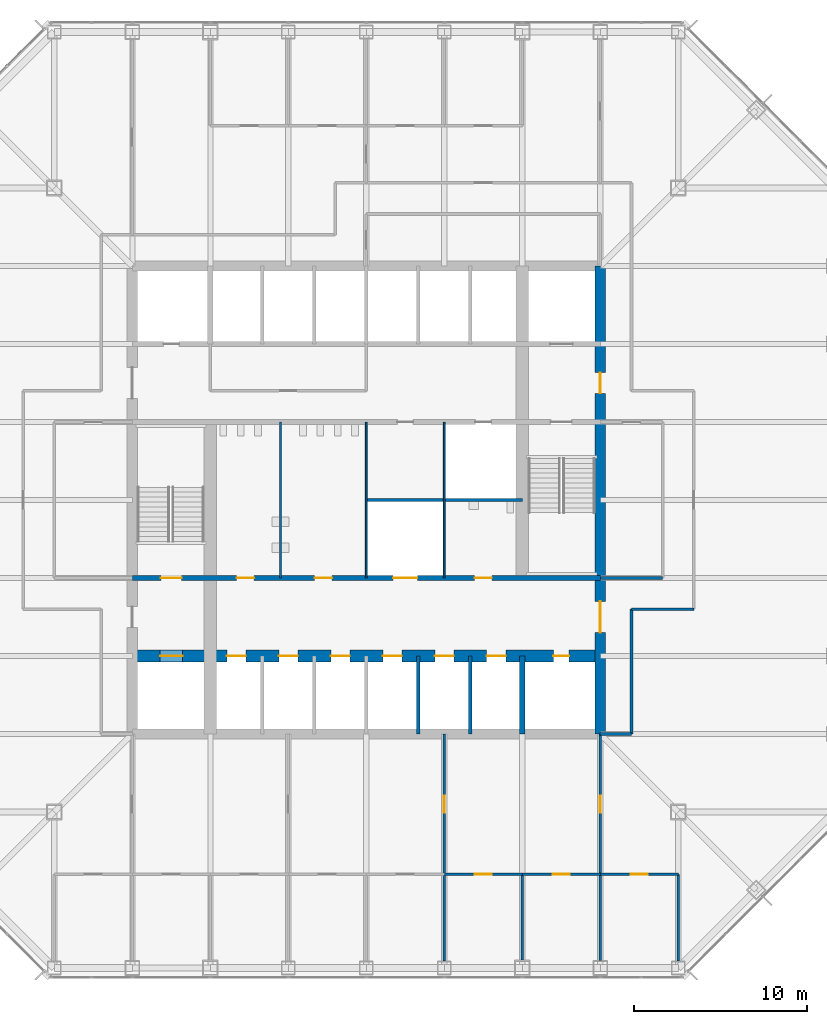
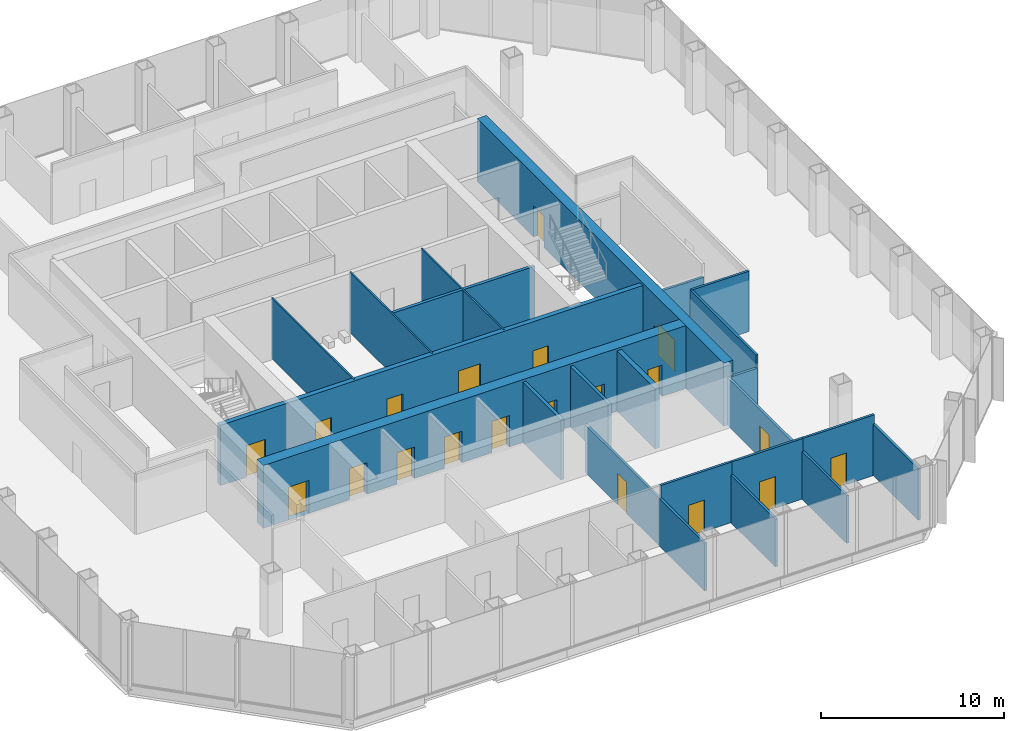
# One storey, part 9 of 13: 23 walls, 20 doors, 20 openings.
"""IFC4 building model written with IfcOpenShell, lengths in metres."""

from ifc_helpers import new_model, si_unit, direction, frame, frame_2d, origin, place, context, subcontext, project, spatial, rectangle, extrude, material, layer, layer_set, type_object, element, fill, save


model = new_model("IFC4")

# Units and contexts
model_context = context("Model", 3, precision=1e-05, world=origin(), true_north=direction((0.0, 1.0)))
body_context = subcontext(model_context, "Body", "Model", "MODEL_VIEW")
ifc_project = project(units=[si_unit("LENGTHUNIT", "METRE"), si_unit("AREAUNIT", "SQUARE_METRE"), si_unit("VOLUMEUNIT", "CUBIC_METRE"), si_unit("PLANEANGLEUNIT", "RADIAN"), si_unit("MASSUNIT", "GRAM", prefix="KILO")], contexts=[model_context])

# Site, building, storey
site_placement = place(None, origin())
site = spatial("IfcSite", under=ifc_project, at=site_placement, CompositionType="ELEMENT")
building_placement = place(site_placement, origin())
building = spatial("IfcBuilding", under=site, at=building_placement, Name="Corais Broadcast Tower", CompositionType="ELEMENT")
storey_placement = place(building_placement, frame((0.0, 0.0, 83.60009765625)))
storey = spatial("IfcBuildingStorey", under=building, at=storey_placement, Name="L18", CompositionType="ELEMENT", Elevation=83.60009765625)

# Wall
ifc_material_1 = material(Name="Concrete blockwork class A, grouted, two-hour", Category="masonry")
ifc_layer_1 = layer(ifc_material_1, 0.300048828125)
ifc_layer_set_1 = layer_set([ifc_layer_1], Name="Concrete blockwork class A, grouted, two-hour")
wall_type_1 = type_object("IfcWallType", Name="Core lobby wall 300", PredefinedType="SOLIDWALL", material=ifc_layer_set_1)
wall_1_placement = place(storey_placement, frame((36.0, 13.5, 0.0), z_axis=(0.0, 0.0, 1.0), x_axis=(0.0, 1.0, 0.0)))
element("IfcWall", 1, at=wall_1_placement, inside=storey, type_object=wall_type_1, Name="CL1 core shaft wall X36A L18", PredefinedType="SOLIDWALL", context=body_context, shape_type="SweptSolid", body=[
    extrude(rectangle(XDim=4.5, YDim=0.300048828125, at=frame_2d((2.25, 0.0))), origin(), (0.0, 0.0, 1.0), 4.039794921875),
])

# Wall, openings, doors
wall_2_placement = place(storey_placement, frame((13.5, 22.5, 0.0), z_axis=(0.0, 0.0, 1.0), x_axis=(1.0, 0.0, 0.0)))
wall_2 = element("IfcWall", 2, at=wall_2_placement, inside=storey, type_object=wall_type_1, Name="CL1 core lobby wall Y225 L18", PredefinedType="SOLIDWALL", context=body_context, shape_type="SweptSolid", body=[
    extrude(rectangle(XDim=27.0, YDim=0.300048828125, at=frame_2d((13.5, 0.0))), origin(), (0.0, 0.0, 1.0), 4.039794921875),
])
opening_1_placement = place(wall_2_placement, frame((1.64990234375, 0.0, 0.0)))
opening_1 = element("IfcOpeningElement", 3, at=opening_1_placement, cuts=wall_2, Name="Opening FD1", PredefinedType="OPENING", context=body_context, shape_type="SweptSolid", body=[
    extrude(rectangle(XDim=1.199951171875, YDim=2.10009765625, at=frame_2d((0.60009765625, 1.050048828125))), frame((0.0, 0.159912109375, 0.0), z_axis=(0.0, -1.0, 0.0), x_axis=(1.0, 0.0, 0.0)), (0.0, 0.0, 1.0), 0.320068359375),
])
opening_2_placement = place(wall_2_placement, frame((6.02490234375, 0.0, 0.0)))
opening_2 = element("IfcOpeningElement", 4, at=opening_2_placement, cuts=wall_2, Name="Opening WD1", PredefinedType="OPENING", context=body_context, shape_type="SweptSolid", body=[
    extrude(rectangle(XDim=1.0, YDim=2.10009765625, at=frame_2d((0.5, 1.050048828125))), frame((0.0, 0.159912109375, 0.0), z_axis=(0.0, -1.0, 0.0), x_axis=(1.0, 0.0, 0.0)), (0.0, 0.0, 1.0), 0.320068359375),
])
opening_3_placement = place(wall_2_placement, frame((10.52490234375, 0.0, 0.0)))
opening_3 = element("IfcOpeningElement", 5, at=opening_3_placement, cuts=wall_2, Name="Opening WD1", PredefinedType="OPENING", context=body_context, shape_type="SweptSolid", body=[
    extrude(rectangle(XDim=1.0, YDim=2.10009765625, at=frame_2d((0.5, 1.050048828125))), frame((0.0, 0.159912109375, 0.0), z_axis=(0.0, -1.0, 0.0), x_axis=(1.0, 0.0, 0.0)), (0.0, 0.0, 1.0), 0.320068359375),
])
opening_4_placement = place(wall_2_placement, frame((19.75, 0.0, 0.0)))
opening_4 = element("IfcOpeningElement", 6, at=opening_4_placement, cuts=wall_2, Name="Opening WD1", PredefinedType="OPENING", context=body_context, shape_type="SweptSolid", body=[
    extrude(rectangle(XDim=1.0, YDim=2.10009765625, at=frame_2d((0.5, 1.050048828125))), frame((0.0, 0.159912109375, 0.0), z_axis=(0.0, -1.0, 0.0), x_axis=(1.0, 0.0, 0.0)), (0.0, 0.0, 1.0), 0.320068359375),
])
opening_5_placement = place(wall_2_placement, frame((15.050048828125, 0.0, 0.0)))
opening_5 = element("IfcOpeningElement", 7, at=opening_5_placement, cuts=wall_2, Name="Opening LD3", PredefinedType="OPENING", context=body_context, shape_type="SweptSolid", body=[
    extrude(rectangle(XDim=1.39990234375, YDim=2.39990234375, at=frame_2d((0.699951171875, 1.199951171875))), frame((0.0, 0.159912109375, 0.0), z_axis=(0.0, -1.0, 0.0), x_axis=(1.0, 0.0, 0.0)), (0.0, 0.0, 1.0), 0.320068359375),
])
ifc_material_2 = material(Name="Steel fire door", Category="steel")
door_type_1 = type_object("IfcDoorType", Name="Fire door 1200x2100", OperationType="SINGLE_SWING_LEFT", PredefinedType="DOOR", material=ifc_material_2)
door_1_placement = place(opening_1_placement, origin())
door_1 = element("IfcDoor", 8, at=door_1_placement, inside=storey, type_object=door_type_1, Name="FD1 stair A door L18", OperationType="SINGLE_SWING_LEFT", OverallHeight=2.10009765625, OverallWidth=1.199951171875, PredefinedType="DOOR", context=body_context, shape_type="SweptSolid", body=[
    extrude(rectangle(XDim=1.199951171875, YDim=2.10009765625, at=frame_2d((0.60009765625, 1.050048828125))), frame((0.0, 0.02490234375, 0.0), z_axis=(0.0, -1.0, 0.0), x_axis=(1.0, 0.0, 0.0)), (0.0, 0.0, 1.0), 0.050048828125),
])
fill(opening_1, door_1)
ifc_material_3 = material(Name="Stainless steel lift door", Category="steel")
door_type_2 = type_object("IfcDoorType", Name="Service lift landing door 1400x2400", OperationType="SLIDING_TO_LEFT", PredefinedType="DOOR", material=ifc_material_3)
door_2_placement = place(opening_5_placement, origin())
door_2 = element("IfcDoor", 9, at=door_2_placement, inside=storey, type_object=door_type_2, Name="LD3 SL1 landing door L18", OperationType="SLIDING_TO_LEFT", OverallHeight=2.39990234375, OverallWidth=1.39990234375, PredefinedType="DOOR", context=body_context, shape_type="SweptSolid", body=[
    extrude(rectangle(XDim=1.39990234375, YDim=2.39990234375, at=frame_2d((0.699951171875, 1.199951171875))), frame((0.0, 0.02490234375, 0.0), z_axis=(0.0, -1.0, 0.0), x_axis=(1.0, 0.0, 0.0)), (0.0, 0.0, 1.0), 0.050048828125),
])
fill(opening_5, door_2)
ifc_material_4 = material(Name="Timber door", Category="wood")
door_type_3 = type_object("IfcDoorType", Name="Toilet door 1000x2100", OperationType="SINGLE_SWING_LEFT", PredefinedType="DOOR", material=ifc_material_4)
door_3_placement = place(opening_2_placement, origin())
door_3 = element("IfcDoor", 10, at=door_3_placement, inside=storey, type_object=door_type_3, Name="WD1 WC male door L18", OperationType="SINGLE_SWING_LEFT", OverallHeight=2.10009765625, OverallWidth=1.0, PredefinedType="DOOR", context=body_context, shape_type="SweptSolid", body=[
    extrude(rectangle(XDim=1.0, YDim=2.10009765625, at=frame_2d((0.5, 1.050048828125))), frame((0.0, 0.02490234375, 0.0), z_axis=(0.0, -1.0, 0.0), x_axis=(1.0, 0.0, 0.0)), (0.0, 0.0, 1.0), 0.050048828125),
])
fill(opening_2, door_3)
door_4_placement = place(opening_3_placement, origin())
door_4 = element("IfcDoor", 11, at=door_4_placement, inside=storey, type_object=door_type_3, Name="WD1 WC female door L18", OperationType="SINGLE_SWING_LEFT", OverallHeight=2.10009765625, OverallWidth=1.0, PredefinedType="DOOR", context=body_context, shape_type="SweptSolid", body=[
    extrude(rectangle(XDim=1.0, YDim=2.10009765625, at=frame_2d((0.5, 1.050048828125))), frame((0.0, 0.02490234375, 0.0), z_axis=(0.0, -1.0, 0.0), x_axis=(1.0, 0.0, 0.0)), (0.0, 0.0, 1.0), 0.050048828125),
])
fill(opening_3, door_4)
door_5_placement = place(opening_4_placement, origin())
door_5 = element("IfcDoor", 12, at=door_5_placement, inside=storey, type_object=door_type_3, Name="WD1 accessible WC door L18", OperationType="SINGLE_SWING_RIGHT", OverallHeight=2.10009765625, OverallWidth=1.0, PredefinedType="DOOR", context=body_context, shape_type="SweptSolid", body=[
    extrude(rectangle(XDim=1.0, YDim=2.10009765625, at=frame_2d((0.5, 1.050048828125))), frame((0.0, 0.02490234375, 0.0), z_axis=(0.0, -1.0, 0.0), x_axis=(1.0, 0.0, 0.0)), (0.0, 0.0, 1.0), 0.050048828125),
])
fill(opening_4, door_5)

ifc_material_5 = material(Name="Concrete C50/60", Category="concrete")
ifc_layer_2 = layer(ifc_material_5, 0.699951171875)
ifc_layer_set_2 = layer_set([ifc_layer_2], Name="Concrete C50/60")
wall_type_2 = type_object("IfcWallType", Name="Core spine wall 700", PredefinedType="SHEAR", material=ifc_layer_set_2)
wall_3_placement = place(storey_placement, frame((13.5, 18.0, 0.0), z_axis=(0.0, 0.0, 1.0), x_axis=(1.0, 0.0, 0.0)))
wall_3 = element("IfcWall", 13, at=wall_3_placement, inside=storey, type_object=wall_type_2, Name="CR700 core wall Y18 L18", PredefinedType="SHEAR", context=body_context, shape_type="SweptSolid", body=[
    extrude(rectangle(XDim=27.0, YDim=0.699951171875, at=frame_2d((13.5, 0.0))), origin(), (0.0, 0.0, 1.0), 4.199951171875),
])
opening_6_placement = place(wall_3_placement, frame((24.300048828125, 0.0, 0.0)))
opening_6 = element("IfcOpeningElement", 14, at=opening_6_placement, cuts=wall_3, Name="Opening RD1", PredefinedType="OPENING", context=body_context, shape_type="SweptSolid", body=[
    extrude(rectangle(XDim=0.89990234375, YDim=2.10009765625, at=frame_2d((0.449951171875, 1.050048828125))), frame((0.0, 0.35986328125, 0.0), z_axis=(0.0, -1.0, 0.0), x_axis=(1.0, 0.0, 0.0)), (0.0, 0.0, 1.0), 0.719970703125),
])
opening_7_placement = place(wall_3_placement, frame((5.449951171875, 0.0, 0.0)))
opening_7 = element("IfcOpeningElement", 15, at=opening_7_placement, cuts=wall_3, Name="Opening LD1", PredefinedType="OPENING", context=body_context, shape_type="SweptSolid", body=[
    extrude(rectangle(XDim=1.10009765625, YDim=2.10009765625, at=frame_2d((0.550048828125, 1.050048828125))), frame((0.0, 0.35986328125, 0.0), z_axis=(0.0, -1.0, 0.0), x_axis=(1.0, 0.0, 0.0)), (0.0, 0.0, 1.0), 0.719970703125),
])
opening_8_placement = place(wall_3_placement, frame((8.449951171875, 0.0, 0.0)))
opening_8 = element("IfcOpeningElement", 16, at=opening_8_placement, cuts=wall_3, Name="Opening LD1", PredefinedType="OPENING", context=body_context, shape_type="SweptSolid", body=[
    extrude(rectangle(XDim=1.10009765625, YDim=2.10009765625, at=frame_2d((0.550048828125, 1.050048828125))), frame((0.0, 0.35986328125, 0.0), z_axis=(0.0, -1.0, 0.0), x_axis=(1.0, 0.0, 0.0)), (0.0, 0.0, 1.0), 0.719970703125),
])
opening_9_placement = place(wall_3_placement, frame((11.449951171875, 0.0, 0.0)))
opening_9 = element("IfcOpeningElement", 17, at=opening_9_placement, cuts=wall_3, Name="Opening LD1", PredefinedType="OPENING", context=body_context, shape_type="SweptSolid", body=[
    extrude(rectangle(XDim=1.10009765625, YDim=2.10009765625, at=frame_2d((0.550048828125, 1.050048828125))), frame((0.0, 0.35986328125, 0.0), z_axis=(0.0, -1.0, 0.0), x_axis=(1.0, 0.0, 0.0)), (0.0, 0.0, 1.0), 0.719970703125),
])
opening_10_placement = place(wall_3_placement, frame((14.449951171875, 0.0, 0.0)))
opening_10 = element("IfcOpeningElement", 18, at=opening_10_placement, cuts=wall_3, Name="Opening LD1", PredefinedType="OPENING", context=body_context, shape_type="SweptSolid", body=[
    extrude(rectangle(XDim=1.10009765625, YDim=2.10009765625, at=frame_2d((0.550048828125, 1.050048828125))), frame((0.0, 0.35986328125, 0.0), z_axis=(0.0, -1.0, 0.0), x_axis=(1.0, 0.0, 0.0)), (0.0, 0.0, 1.0), 0.719970703125),
])
opening_11_placement = place(wall_3_placement, frame((17.449951171875, 0.0, 0.0)))
opening_11 = element("IfcOpeningElement", 19, at=opening_11_placement, cuts=wall_3, Name="Opening LD1", PredefinedType="OPENING", context=body_context, shape_type="SweptSolid", body=[
    extrude(rectangle(XDim=1.10009765625, YDim=2.10009765625, at=frame_2d((0.550048828125, 1.050048828125))), frame((0.0, 0.35986328125, 0.0), z_axis=(0.0, -1.0, 0.0), x_axis=(1.0, 0.0, 0.0)), (0.0, 0.0, 1.0), 0.719970703125),
])
opening_12_placement = place(wall_3_placement, frame((20.449951171875, 0.0, 0.0)))
opening_12 = element("IfcOpeningElement", 20, at=opening_12_placement, cuts=wall_3, Name="Opening LD1", PredefinedType="OPENING", context=body_context, shape_type="SweptSolid", body=[
    extrude(rectangle(XDim=1.10009765625, YDim=2.10009765625, at=frame_2d((0.550048828125, 1.050048828125))), frame((0.0, 0.35986328125, 0.0), z_axis=(0.0, -1.0, 0.0), x_axis=(1.0, 0.0, 0.0)), (0.0, 0.0, 1.0), 0.719970703125),
])
opening_13_placement = place(wall_3_placement, frame((1.60009765625, 0.0, 0.0)))
opening_13 = element("IfcOpeningElement", 21, at=opening_13_placement, cuts=wall_3, Name="Opening LD2", PredefinedType="OPENING", context=body_context, shape_type="SweptSolid", body=[
    extrude(rectangle(XDim=1.300048828125, YDim=2.199951171875, at=frame_2d((0.64990234375, 1.10009765625))), frame((0.0, 0.35986328125, 0.0), z_axis=(0.0, -1.0, 0.0), x_axis=(1.0, 0.0, 0.0)), (0.0, 0.0, 1.0), 0.719970703125),
])
ifc_material_6 = material(Name="Stainless steel lift door", Category="steel")
door_type_4 = type_object("IfcDoorType", Name="Lift landing door 1100x2100", OperationType="SLIDING_TO_LEFT", PredefinedType="DOOR", material=ifc_material_6)
door_6_placement = place(opening_7_placement, origin())
door_6 = element("IfcDoor", 22, at=door_6_placement, inside=storey, type_object=door_type_4, Name="LD1 PL1 landing door L18", OperationType="SLIDING_TO_LEFT", OverallHeight=2.10009765625, OverallWidth=1.10009765625, PredefinedType="DOOR", context=body_context, shape_type="SweptSolid", body=[
    extrude(rectangle(XDim=1.10009765625, YDim=2.10009765625, at=frame_2d((0.550048828125, 1.050048828125))), frame((0.0, 0.02490234375, 0.0), z_axis=(0.0, -1.0, 0.0), x_axis=(1.0, 0.0, 0.0)), (0.0, 0.0, 1.0), 0.050048828125),
])
fill(opening_7, door_6)
door_7_placement = place(opening_8_placement, origin())
door_7 = element("IfcDoor", 23, at=door_7_placement, inside=storey, type_object=door_type_4, Name="LD1 PL2 landing door L18", OperationType="SLIDING_TO_LEFT", OverallHeight=2.10009765625, OverallWidth=1.10009765625, PredefinedType="DOOR", context=body_context, shape_type="SweptSolid", body=[
    extrude(rectangle(XDim=1.10009765625, YDim=2.10009765625, at=frame_2d((0.550048828125, 1.050048828125))), frame((0.0, 0.02490234375, 0.0), z_axis=(0.0, -1.0, 0.0), x_axis=(1.0, 0.0, 0.0)), (0.0, 0.0, 1.0), 0.050048828125),
])
fill(opening_8, door_7)
door_8_placement = place(opening_9_placement, origin())
door_8 = element("IfcDoor", 24, at=door_8_placement, inside=storey, type_object=door_type_4, Name="LD1 PL3 landing door L18", OperationType="SLIDING_TO_LEFT", OverallHeight=2.10009765625, OverallWidth=1.10009765625, PredefinedType="DOOR", context=body_context, shape_type="SweptSolid", body=[
    extrude(rectangle(XDim=1.10009765625, YDim=2.10009765625, at=frame_2d((0.550048828125, 1.050048828125))), frame((0.0, 0.02490234375, 0.0), z_axis=(0.0, -1.0, 0.0), x_axis=(1.0, 0.0, 0.0)), (0.0, 0.0, 1.0), 0.050048828125),
])
fill(opening_9, door_8)
door_9_placement = place(opening_10_placement, origin())
door_9 = element("IfcDoor", 25, at=door_9_placement, inside=storey, type_object=door_type_4, Name="LD1 PL4 landing door L18", OperationType="SLIDING_TO_LEFT", OverallHeight=2.10009765625, OverallWidth=1.10009765625, PredefinedType="DOOR", context=body_context, shape_type="SweptSolid", body=[
    extrude(rectangle(XDim=1.10009765625, YDim=2.10009765625, at=frame_2d((0.550048828125, 1.050048828125))), frame((0.0, 0.02490234375, 0.0), z_axis=(0.0, -1.0, 0.0), x_axis=(1.0, 0.0, 0.0)), (0.0, 0.0, 1.0), 0.050048828125),
])
fill(opening_10, door_9)
door_10_placement = place(opening_11_placement, origin())
door_10 = element("IfcDoor", 26, at=door_10_placement, inside=storey, type_object=door_type_4, Name="LD1 PL5 landing door L18", OperationType="SLIDING_TO_LEFT", OverallHeight=2.10009765625, OverallWidth=1.10009765625, PredefinedType="DOOR", context=body_context, shape_type="SweptSolid", body=[
    extrude(rectangle(XDim=1.10009765625, YDim=2.10009765625, at=frame_2d((0.550048828125, 1.050048828125))), frame((0.0, 0.02490234375, 0.0), z_axis=(0.0, -1.0, 0.0), x_axis=(1.0, 0.0, 0.0)), (0.0, 0.0, 1.0), 0.050048828125),
])
fill(opening_11, door_10)
door_11_placement = place(opening_12_placement, origin())
door_11 = element("IfcDoor", 27, at=door_11_placement, inside=storey, type_object=door_type_4, Name="LD1 PL6 landing door L18", OperationType="SLIDING_TO_LEFT", OverallHeight=2.10009765625, OverallWidth=1.10009765625, PredefinedType="DOOR", context=body_context, shape_type="SweptSolid", body=[
    extrude(rectangle(XDim=1.10009765625, YDim=2.10009765625, at=frame_2d((0.550048828125, 1.050048828125))), frame((0.0, 0.02490234375, 0.0), z_axis=(0.0, -1.0, 0.0), x_axis=(1.0, 0.0, 0.0)), (0.0, 0.0, 1.0), 0.050048828125),
])
fill(opening_12, door_11)
ifc_material_7 = material(Name="Stainless steel lift door", Category="steel")
door_type_5 = type_object("IfcDoorType", Name="Lift landing door 1300x2200", OperationType="SLIDING_TO_LEFT", PredefinedType="DOOR", material=ifc_material_7)
door_12_placement = place(opening_13_placement, origin())
door_12 = element("IfcDoor", 28, at=door_12_placement, inside=storey, type_object=door_type_5, Name="LD2 FL1 landing door L18", OperationType="SLIDING_TO_LEFT", OverallHeight=2.199951171875, OverallWidth=1.300048828125, PredefinedType="DOOR", context=body_context, shape_type="SweptSolid", body=[
    extrude(rectangle(XDim=1.300048828125, YDim=2.199951171875, at=frame_2d((0.64990234375, 1.10009765625))), frame((0.0, 0.02490234375, 0.0), z_axis=(0.0, -1.0, 0.0), x_axis=(1.0, 0.0, 0.0)), (0.0, 0.0, 1.0), 0.050048828125),
])
fill(opening_13, door_12)
ifc_material_8 = material(Name="Steel fire door", Category="steel")
door_type_6 = type_object("IfcDoorType", Name="Riser door 900x2100", OperationType="SINGLE_SWING_LEFT", PredefinedType="DOOR", material=ifc_material_8)
door_13_placement = place(opening_6_placement, origin())
door_13 = element("IfcDoor", 29, at=door_13_placement, inside=storey, type_object=door_type_6, Name="RD1 riser door L18", OperationType="SINGLE_SWING_RIGHT", OverallHeight=2.10009765625, OverallWidth=0.89990234375, PredefinedType="DOOR", context=body_context, shape_type="SweptSolid", body=[
    extrude(rectangle(XDim=0.89990234375, YDim=2.10009765625, at=frame_2d((0.449951171875, 1.050048828125))), frame((0.0, 0.02490234375, 0.0), z_axis=(0.0, -1.0, 0.0), x_axis=(1.0, 0.0, 0.0)), (0.0, 0.0, 1.0), 0.050048828125),
])
fill(opening_6, door_13)

ifc_material_9 = material(Name="Concrete C50/60", Category="concrete")
ifc_layer_3 = layer(ifc_material_9, 0.60009765625)
ifc_layer_set_3 = layer_set([ifc_layer_3], Name="Concrete C50/60")
wall_type_3 = type_object("IfcWallType", Name="Core wall 600", PredefinedType="SHEAR", material=ifc_layer_set_3)
wall_4_placement = place(storey_placement, frame((40.5, 13.5, 0.0), z_axis=(0.0, 0.0, 1.0), x_axis=(0.0, 1.0, 0.0)))
wall_4 = element("IfcWall", 30, at=wall_4_placement, inside=storey, type_object=wall_type_3, Name="CR600 core wall E L18", PredefinedType="SHEAR", context=body_context, shape_type="SweptSolid", body=[
    extrude(rectangle(XDim=27.0, YDim=0.60009765625, at=frame_2d((13.5, 0.0))), origin(), (0.0, 0.0, 1.0), 4.199951171875),
])
opening_14_placement = place(wall_4_placement, frame((5.85009765625, 0.0, 0.0)))
opening_14 = element("IfcOpeningElement", 31, at=opening_14_placement, cuts=wall_4, Name="Opening FD2", PredefinedType="OPENING", context=body_context, shape_type="SweptSolid", body=[
    extrude(rectangle(XDim=1.800048828125, YDim=2.10009765625, at=frame_2d((0.89990234375, 1.050048828125))), frame((0.0, 0.31005859375, 0.0), z_axis=(0.0, -1.0, 0.0), x_axis=(1.0, 0.0, 0.0)), (0.0, 0.0, 1.0), 0.6201171875),
])
opening_15_placement = place(wall_4_placement, frame((19.64990234375, 0.0, 0.0)))
opening_15 = element("IfcOpeningElement", 32, at=opening_15_placement, cuts=wall_4, Name="Opening FD1", PredefinedType="OPENING", context=body_context, shape_type="SweptSolid", body=[
    extrude(rectangle(XDim=1.199951171875, YDim=2.10009765625, at=frame_2d((0.60009765625, 1.050048828125))), frame((0.0, 0.31005859375, 0.0), z_axis=(0.0, -1.0, 0.0), x_axis=(1.0, 0.0, 0.0)), (0.0, 0.0, 1.0), 0.6201171875),
])
door_14_placement = place(opening_15_placement, origin())
door_14 = element("IfcDoor", 33, at=door_14_placement, inside=storey, type_object=door_type_1, Name="FD1 fire lobby B door L18", OperationType="SINGLE_SWING_RIGHT", OverallHeight=2.10009765625, OverallWidth=1.199951171875, PredefinedType="DOOR", context=body_context, shape_type="SweptSolid", body=[
    extrude(rectangle(XDim=1.199951171875, YDim=2.10009765625, at=frame_2d((0.60009765625, 1.050048828125))), frame((0.0, 0.02490234375, 0.0), z_axis=(0.0, -1.0, 0.0), x_axis=(1.0, 0.0, 0.0)), (0.0, 0.0, 1.0), 0.050048828125),
])
fill(opening_15, door_14)
ifc_material_10 = material(Name="Steel fire door", Category="steel")
door_type_7 = type_object("IfcDoorType", Name="Fire door pair 1800x2100", OperationType="DOUBLE_DOOR_SINGLE_SWING", PredefinedType="DOOR", material=ifc_material_10)
door_15_placement = place(opening_14_placement, origin())
door_15 = element("IfcDoor", 34, at=door_15_placement, inside=storey, type_object=door_type_7, Name="FD2 lift lobby door L18", OperationType="SINGLE_SWING_LEFT", OverallHeight=2.10009765625, OverallWidth=1.800048828125, PredefinedType="DOOR", context=body_context, shape_type="SweptSolid", body=[
    extrude(rectangle(XDim=1.800048828125, YDim=2.10009765625, at=frame_2d((0.89990234375, 1.050048828125))), frame((0.0, 0.02490234375, 0.0), z_axis=(0.0, -1.0, 0.0), x_axis=(1.0, 0.0, 0.0)), (0.0, 0.0, 1.0), 0.050048828125),
])
fill(opening_14, door_15)

# Walls
ifc_material_11 = material(Name="Gypsum board on steel studs", Category="steel")
ifc_layer_4 = layer(ifc_material_11, 0.14990234375)
ifc_layer_set_4 = layer_set([ifc_layer_4], Name="Gypsum board on steel studs")
wall_type_4 = type_object("IfcWallType", Name="Partition 150", PredefinedType="PARTITIONING", material=ifc_layer_set_4)
wall_5_placement = place(storey_placement, frame((42.300048828125, 13.5, 0.0), z_axis=(0.0, 0.0, 1.0), x_axis=(0.0, 1.0, 0.0)))
element("IfcWall", 35, at=wall_5_placement, inside=storey, type_object=wall_type_4, Name="IW3 corridor wall L18", PredefinedType="PARTITIONING", context=body_context, shape_type="SweptSolid", body=[
    extrude(rectangle(XDim=7.199951171875, YDim=0.14990234375, at=frame_2d((3.60009765625, 0.0))), origin(), (0.0, 0.0, 1.0), 4.039794921875),
])
wall_6_placement = place(storey_placement, frame((42.300048828125, 20.699951171875, 0.0), z_axis=(0.0, 0.0, 1.0), x_axis=(1.0, 0.0, 0.0)))
element("IfcWall", 36, at=wall_6_placement, inside=storey, type_object=wall_type_4, Name="IW3 corridor wall L18", PredefinedType="PARTITIONING", context=body_context, shape_type="SweptSolid", body=[
    extrude(rectangle(XDim=3.599853515625, YDim=0.14990234375, at=frame_2d((1.7998046875, 0.0))), origin(), (0.0, 0.0, 1.0), 4.039794921875),
])
wall_7_placement = place(storey_placement, frame((40.489990234375, 13.5, 0.0), z_axis=(0.0, 0.0, 1.0), x_axis=(1.0, 0.0, 0.0)))
element("IfcWall", 37, at=wall_7_placement, inside=storey, type_object=wall_type_4, Name="IW3 corridor wall L18", PredefinedType="PARTITIONING", context=body_context, shape_type="SweptSolid", body=[
    extrude(rectangle(XDim=1.81005859375, YDim=0.14990234375, at=frame_2d((0.905029296875, 0.0))), origin(), (0.0, 0.0, 1.0), 3.18896484375),
])
wall_8_placement = place(storey_placement, frame((31.5, 0.409912109375, 0.0), z_axis=(0.0, 0.0, 1.0), x_axis=(0.0, 1.0, 0.0)))
element("IfcWall", 38, at=wall_8_placement, inside=storey, type_object=wall_type_4, Name="IW3 partition L18", PredefinedType="PARTITIONING", context=body_context, shape_type="SweptSolid", body=[
    extrude(rectangle(XDim=4.989990234375, YDim=0.14990234375, at=frame_2d((2.4951171875, 0.0))), origin(), (0.0, 0.0, 1.0), 3.18896484375),
])
wall_9_placement = place(storey_placement, frame((36.0, 0.4599609375, 0.0), z_axis=(0.0, 0.0, 1.0), x_axis=(0.0, 1.0, 0.0)))
element("IfcWall", 39, at=wall_9_placement, inside=storey, type_object=wall_type_4, Name="IW3 partition L18", PredefinedType="PARTITIONING", context=body_context, shape_type="SweptSolid", body=[
    extrude(rectangle(XDim=4.93994140625, YDim=0.14990234375, at=frame_2d((2.469970703125, 0.0))), origin(), (0.0, 0.0, 1.0), 3.18896484375),
])

# Wall, opening, door
wall_10_placement = place(storey_placement, frame((36.0, 5.39990234375, 0.0), z_axis=(0.0, 0.0, 1.0), x_axis=(-1.0, 0.0, 0.0)))
wall_10 = element("IfcWall", 40, at=wall_10_placement, inside=storey, type_object=wall_type_4, Name="IW3 partition L18", PredefinedType="PARTITIONING", context=body_context, shape_type="SweptSolid", body=[
    extrude(rectangle(XDim=4.5, YDim=0.14990234375, at=frame_2d((2.25, 0.0))), origin(), (0.0, 0.0, 1.0), 4.039794921875),
])
opening_16_placement = place(wall_10_placement, frame((1.75, 0.0, 0.0)))
opening_16 = element("IfcOpeningElement", 41, at=opening_16_placement, cuts=wall_10, Name="Opening D1", PredefinedType="OPENING", context=body_context, shape_type="SweptSolid", body=[
    extrude(rectangle(XDim=1.0, YDim=2.10009765625, at=frame_2d((0.5, 1.050048828125))), frame((0.0, 0.0849609375, 0.0), z_axis=(0.0, -1.0, 0.0), x_axis=(1.0, 0.0, 0.0)), (0.0, 0.0, 1.0), 0.169921875),
])
ifc_material_12 = material(Name="Timber door", Category="wood")
door_type_8 = type_object("IfcDoorType", Name="Single door 1000x2100", OperationType="SINGLE_SWING_LEFT", PredefinedType="DOOR", material=ifc_material_12)
door_16_placement = place(opening_16_placement, origin())
door_16 = element("IfcDoor", 42, at=door_16_placement, inside=storey, type_object=door_type_8, Name="D1 Office door", OperationType="SINGLE_SWING_LEFT", OverallHeight=2.10009765625, OverallWidth=1.0, PredefinedType="DOOR", context=body_context, shape_type="SweptSolid", body=[
    extrude(rectangle(XDim=1.0, YDim=2.10009765625, at=frame_2d((0.5, 1.050048828125))), frame((0.0, 0.02490234375, 0.0), z_axis=(0.0, -1.0, 0.0), x_axis=(1.0, 0.0, 0.0)), (0.0, 0.0, 1.0), 0.050048828125),
])
fill(opening_16, door_16)

# Wall
wall_11_placement = place(storey_placement, frame((40.5, 0.43505859375, 0.0), z_axis=(0.0, 0.0, 1.0), x_axis=(0.0, 1.0, 0.0)))
element("IfcWall", 43, at=wall_11_placement, inside=storey, type_object=wall_type_4, Name="IW3 partition L18", PredefinedType="PARTITIONING", context=body_context, shape_type="SweptSolid", body=[
    extrude(rectangle(XDim=4.96484375, YDim=0.14990234375, at=frame_2d((2.482421875, 0.0))), origin(), (0.0, 0.0, 1.0), 3.18896484375),
])

# Wall, opening, door
wall_12_placement = place(storey_placement, frame((40.5, 5.39990234375, 0.0), z_axis=(0.0, 0.0, 1.0), x_axis=(-1.0, 0.0, 0.0)))
wall_12 = element("IfcWall", 44, at=wall_12_placement, inside=storey, type_object=wall_type_4, Name="IW3 partition L18", PredefinedType="PARTITIONING", context=body_context, shape_type="SweptSolid", body=[
    extrude(rectangle(XDim=4.5, YDim=0.14990234375, at=frame_2d((2.25, 0.0))), origin(), (0.0, 0.0, 1.0), 4.039794921875),
])
opening_17_placement = place(wall_12_placement, frame((1.75, 0.0, 0.0)))
opening_17 = element("IfcOpeningElement", 45, at=opening_17_placement, cuts=wall_12, Name="Opening D1", PredefinedType="OPENING", context=body_context, shape_type="SweptSolid", body=[
    extrude(rectangle(XDim=1.0, YDim=2.10009765625, at=frame_2d((0.5, 1.050048828125))), frame((0.0, 0.0849609375, 0.0), z_axis=(0.0, -1.0, 0.0), x_axis=(1.0, 0.0, 0.0)), (0.0, 0.0, 1.0), 0.169921875),
])
door_17_placement = place(opening_17_placement, origin())
door_17 = element("IfcDoor", 46, at=door_17_placement, inside=storey, type_object=door_type_8, Name="D1 Office door", OperationType="SINGLE_SWING_LEFT", OverallHeight=2.10009765625, OverallWidth=1.0, PredefinedType="DOOR", context=body_context, shape_type="SweptSolid", body=[
    extrude(rectangle(XDim=1.0, YDim=2.10009765625, at=frame_2d((0.5, 1.050048828125))), frame((0.0, 0.02490234375, 0.0), z_axis=(0.0, -1.0, 0.0), x_axis=(1.0, 0.0, 0.0)), (0.0, 0.0, 1.0), 0.050048828125),
])
fill(opening_17, door_17)

# Wall
wall_13_placement = place(storey_placement, frame((45.0, 0.409912109375, 0.0), z_axis=(0.0, 0.0, 1.0), x_axis=(0.0, 1.0, 0.0)))
element("IfcWall", 47, at=wall_13_placement, inside=storey, type_object=wall_type_4, Name="IW3 partition L18", PredefinedType="PARTITIONING", context=body_context, shape_type="SweptSolid", body=[
    extrude(rectangle(XDim=4.989990234375, YDim=0.14990234375, at=frame_2d((2.4951171875, 0.0))), origin(), (0.0, 0.0, 1.0), 3.428955078125),
])

# Wall, opening, door
wall_14_placement = place(storey_placement, frame((45.0, 5.39990234375, 0.0), z_axis=(0.0, 0.0, 1.0), x_axis=(-1.0, 0.0, 0.0)))
wall_14 = element("IfcWall", 48, at=wall_14_placement, inside=storey, type_object=wall_type_4, Name="IW3 partition L18", PredefinedType="PARTITIONING", context=body_context, shape_type="SweptSolid", body=[
    extrude(rectangle(XDim=4.5, YDim=0.14990234375, at=frame_2d((2.25, 0.0))), origin(), (0.0, 0.0, 1.0), 4.039794921875),
])
opening_18_placement = place(wall_14_placement, frame((1.75, 0.0, 0.0)))
opening_18 = element("IfcOpeningElement", 49, at=opening_18_placement, cuts=wall_14, Name="Opening D1", PredefinedType="OPENING", context=body_context, shape_type="SweptSolid", body=[
    extrude(rectangle(XDim=1.0, YDim=2.10009765625, at=frame_2d((0.5, 1.050048828125))), frame((0.0, 0.0849609375, 0.0), z_axis=(0.0, -1.0, 0.0), x_axis=(1.0, 0.0, 0.0)), (0.0, 0.0, 1.0), 0.169921875),
])
door_18_placement = place(opening_18_placement, origin())
door_18 = element("IfcDoor", 50, at=door_18_placement, inside=storey, type_object=door_type_8, Name="D1 Office door", OperationType="SINGLE_SWING_LEFT", OverallHeight=2.10009765625, OverallWidth=1.0, PredefinedType="DOOR", context=body_context, shape_type="SweptSolid", body=[
    extrude(rectangle(XDim=1.0, YDim=2.10009765625, at=frame_2d((0.5, 1.050048828125))), frame((0.0, 0.02490234375, 0.0), z_axis=(0.0, -1.0, 0.0), x_axis=(1.0, 0.0, 0.0)), (0.0, 0.0, 1.0), 0.050048828125),
])
fill(opening_18, door_18)

# Wall
wall_15_placement = place(storey_placement, frame((40.5, 22.5, 0.0), z_axis=(0.0, 0.0, 1.0), x_axis=(1.0, 0.0, 0.0)))
element("IfcWall", 51, at=wall_15_placement, inside=storey, type_object=wall_type_4, Name="IW3 partition L18", PredefinedType="PARTITIONING", context=body_context, shape_type="SweptSolid", body=[
    extrude(rectangle(XDim=3.60009765625, YDim=0.14990234375, at=frame_2d((1.800048828125, 0.0))), origin(), (0.0, 0.0, 1.0), 3.18896484375),
])

# Wall, opening, door
wall_16_placement = place(storey_placement, frame((40.5, 5.39990234375, 0.0), z_axis=(0.0, 0.0, 1.0), x_axis=(0.0, 1.0, 0.0)))
wall_16 = element("IfcWall", 52, at=wall_16_placement, inside=storey, type_object=wall_type_4, Name="IW3 partition L18", PredefinedType="PARTITIONING", context=body_context, shape_type="SweptSolid", body=[
    extrude(rectangle(XDim=8.10009765625, YDim=0.14990234375, at=frame_2d((4.050048828125, 0.0))), origin(), (0.0, 0.0, 1.0), 3.18896484375),
])
opening_19_placement = place(wall_16_placement, frame((3.550048828125, 0.0, 0.0)))
opening_19 = element("IfcOpeningElement", 53, at=opening_19_placement, cuts=wall_16, Name="Opening D1", PredefinedType="OPENING", context=body_context, shape_type="SweptSolid", body=[
    extrude(rectangle(XDim=1.0, YDim=2.10009765625, at=frame_2d((0.5, 1.050048828125))), frame((0.0, 0.0849609375, 0.0), z_axis=(0.0, -1.0, 0.0), x_axis=(1.0, 0.0, 0.0)), (0.0, 0.0, 1.0), 0.169921875),
])
door_19_placement = place(opening_19_placement, origin())
door_19 = element("IfcDoor", 54, at=door_19_placement, inside=storey, type_object=door_type_8, Name="D1 team room door L18", OperationType="SINGLE_SWING_LEFT", OverallHeight=2.10009765625, OverallWidth=1.0, PredefinedType="DOOR", context=body_context, shape_type="SweptSolid", body=[
    extrude(rectangle(XDim=1.0, YDim=2.10009765625, at=frame_2d((0.5, 1.050048828125))), frame((0.0, 0.02490234375, 0.0), z_axis=(0.0, -1.0, 0.0), x_axis=(1.0, 0.0, 0.0)), (0.0, 0.0, 1.0), 0.050048828125),
])
fill(opening_19, door_19)

wall_17_placement = place(storey_placement, frame((31.5, 13.5, 0.0), z_axis=(0.0, 0.0, 1.0), x_axis=(0.0, -1.0, 0.0)))
wall_17 = element("IfcWall", 55, at=wall_17_placement, inside=storey, type_object=wall_type_4, Name="IW3 partition L18", PredefinedType="PARTITIONING", context=body_context, shape_type="SweptSolid", body=[
    extrude(rectangle(XDim=8.10009765625, YDim=0.14990234375, at=frame_2d((4.050048828125, 0.0))), origin(), (0.0, 0.0, 1.0), 3.18896484375),
])
opening_20_placement = place(wall_17_placement, frame((3.550048828125, 0.0, 0.0)))
opening_20 = element("IfcOpeningElement", 56, at=opening_20_placement, cuts=wall_17, Name="Opening D1", PredefinedType="OPENING", context=body_context, shape_type="SweptSolid", body=[
    extrude(rectangle(XDim=1.0, YDim=2.10009765625, at=frame_2d((0.5, 1.050048828125))), frame((0.0, 0.0849609375, 0.0), z_axis=(0.0, -1.0, 0.0), x_axis=(1.0, 0.0, 0.0)), (0.0, 0.0, 1.0), 0.169921875),
])
door_20_placement = place(opening_20_placement, origin())
door_20 = element("IfcDoor", 57, at=door_20_placement, inside=storey, type_object=door_type_8, Name="D1 team room door L18", OperationType="SINGLE_SWING_LEFT", OverallHeight=2.10009765625, OverallWidth=1.0, PredefinedType="DOOR", context=body_context, shape_type="SweptSolid", body=[
    extrude(rectangle(XDim=1.0, YDim=2.10009765625, at=frame_2d((0.5, 1.050048828125))), frame((0.0, 0.02490234375, 0.0), z_axis=(0.0, -1.0, 0.0), x_axis=(1.0, 0.0, 0.0)), (0.0, 0.0, 1.0), 0.050048828125),
])
fill(opening_20, door_20)

# Walls
ifc_material_13 = material(Name="Concrete blockwork class A, grouted, two-hour", Category="masonry")
ifc_layer_5 = layer(ifc_material_13, 0.199951171875)
ifc_layer_set_5 = layer_set([ifc_layer_5], Name="Concrete blockwork class A, grouted, two-hour")
wall_type_5 = type_object("IfcWallType", Name="Shaft wall 200", PredefinedType="PARTITIONING", material=ifc_layer_set_5)
for number, where, z_axis, x_axis, name in (
    (58, (30.0, 13.5, 0.0), (0.0, 0.0, 1.0), (0.0, 1.0, 0.0), "IW1 shaft wall L18"),
    (59, (33.0, 13.5, 0.0), (0.0, 0.0, 1.0), (0.0, 1.0, 0.0), "IW1 shaft wall L18"),
):
    element("IfcWall", number, at=place(storey_placement, frame(where, z_axis=z_axis, x_axis=x_axis)), inside=storey, type_object=wall_type_5, Name=name, PredefinedType="PARTITIONING", context=body_context, shape_type="SweptSolid", body=[
        extrude(rectangle(XDim=4.5, YDim=0.199951171875, at=frame_2d((2.25, 0.0))), origin(), (0.0, 0.0, 1.0), 4.039794921875),
    ])
wall_18_placement = place(storey_placement, frame((27.0, 27.0, 0.0), z_axis=(0.0, 0.0, 1.0), x_axis=(1.0, 0.0, 0.0)))
element("IfcWall", 60, at=wall_18_placement, inside=storey, type_object=wall_type_5, Name="IW1 shaft wall L18", PredefinedType="PARTITIONING", context=body_context, shape_type="SweptSolid", body=[
    extrude(rectangle(XDim=9.0, YDim=0.199951171875, at=frame_2d((4.5, 0.0))), origin(), (0.0, 0.0, 1.0), 4.039794921875),
])
ifc_material_14 = material(Name="Dense concrete blockwork class A, tiled both faces", Category="masonry")
ifc_layer_6 = layer(ifc_material_14, 0.10009765625)
ifc_layer_set_6 = layer_set([ifc_layer_6], Name="Dense concrete blockwork class A, tiled both faces")
wall_type_6 = type_object("IfcWallType", Name="Toilet wall 100", PredefinedType="PLUMBINGWALL", material=ifc_layer_set_6)
for number, where, z_axis, x_axis, name in (
    (61, (22.050048828125, 22.5, 0.0), (0.0, 0.0, 1.0), (0.0, 1.0, 0.0), "IW2 toilet wall L18"),
    (62, (27.0, 22.5, 0.0), (0.0, 0.0, 1.0), (0.0, 1.0, 0.0), "IW2 toilet wall L18"),
    (63, (31.5, 22.5, 0.0), (0.0, 0.0, 1.0), (0.0, 1.0, 0.0), "IW2 toilet wall L18"),
):
    element("IfcWall", number, at=place(storey_placement, frame(where, z_axis=z_axis, x_axis=x_axis)), inside=storey, type_object=wall_type_6, Name=name, PredefinedType="PLUMBINGWALL", context=body_context, shape_type="SweptSolid", body=[
        extrude(rectangle(XDim=9.0, YDim=0.10009765625, at=frame_2d((4.5, 0.0))), origin(), (0.0, 0.0, 1.0), 4.039794921875),
    ])

save(model, "model.ifc")
